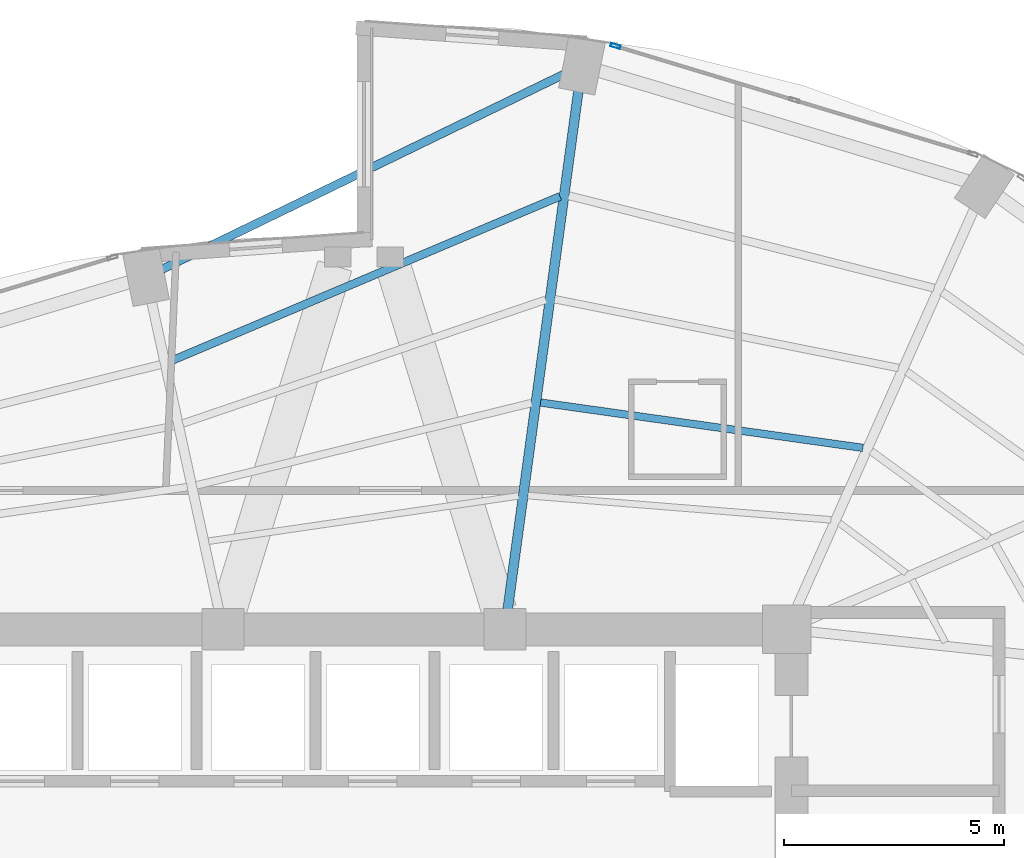
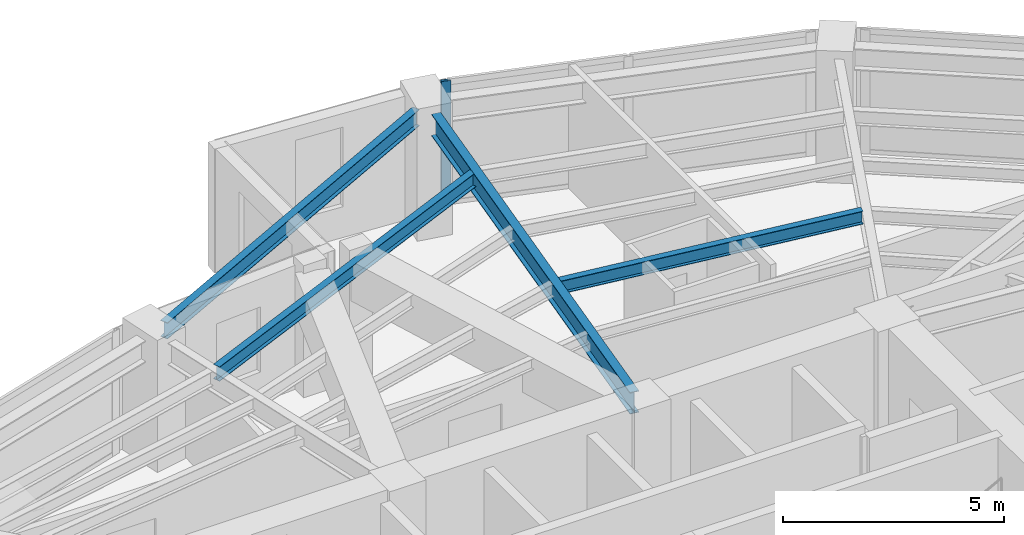
# One storey, part 16 of 24: 4 beams, 1 member, 1 element without a shape of its own.
"""IFC4 building model written with IfcOpenShell, lengths in metres."""

from ifc_helpers import new_model, si_unit, direction, frame, origin, origin_2d, place, context, subcontext, project, spatial, hollow_rectangle, i_section, extrude, material, layer, layer_set, material_profile, profile_set, type_object, element, aggregate, save


model = new_model("IFC4")

# Units and contexts
model_context = context("Model", 3, precision=1e-05, world=origin(), true_north=direction((0.0, 1.0)))
body_context = subcontext(model_context, "Body", "Model", "MODEL_VIEW")
ifc_project = project(units=[si_unit("LENGTHUNIT", "METRE"), si_unit("AREAUNIT", "SQUARE_METRE"), si_unit("VOLUMEUNIT", "CUBIC_METRE"), si_unit("PLANEANGLEUNIT", "RADIAN"), si_unit("MASSUNIT", "GRAM", prefix="KILO")], contexts=[model_context])

# Site, building, storey
site_placement = place(None, origin())
site = spatial("IfcSite", under=ifc_project, at=site_placement, CompositionType="ELEMENT")
building_placement = place(site_placement, origin())
building = spatial("IfcBuilding", under=site, at=building_placement, Name="Lazwardi Medical Tower", CompositionType="ELEMENT")
storey_placement = place(building_placement, frame((0.0, 0.0, 118.22412109375)))
storey = spatial("IfcBuildingStorey", under=building, at=storey_placement, Name="L30", CompositionType="ELEMENT", Elevation=118.22412109375)

# Beams
ifc_material_1 = material(Name="Steel S355", Category="steel")
ifc_material_profile_1 = material_profile(ifc_material_1, i_section(OverallWidth=0.219970703125, OverallDepth=0.60009765625, WebThickness=0.011962890625, FlangeThickness=0.01904296875, at=origin_2d()), Name="IPE 600")
ifc_profile_set_1 = profile_set([ifc_material_profile_1], Name="Steel S355")
beam_type_1 = type_object("IfcBeamType", Name="BM-RG-W1", PredefinedType="BEAM", material=ifc_profile_set_1)
beam_1_placement = place(storey_placement, frame((40.8671875, 47.82275390625, 3.1279296875), z_axis=(-0.135147148002, -0.990825538825, 0.0), x_axis=(0.990825538825, -0.135147148002, 0.0)))
element("IfcBeam", 1, at=beam_1_placement, inside=storey, type_object=beam_type_1, Name="Radial girder RG-02 R08 L30", PredefinedType="BEAM", context=body_context, shape_type="SweptSolid", body=[
    extrude(i_section(OverallWidth=0.219970703125, OverallDepth=0.60009765625, WebThickness=0.011962890625, FlangeThickness=0.01904296875, at=origin_2d()), origin(), (0.0, 0.0, 1.0), 11.875732421875),
])
ifc_material_profile_2 = material_profile(ifc_material_1, i_section(OverallWidth=0.179931640625, OverallDepth=0.39990234375, WebThickness=0.008544921875, FlangeThickness=0.013427734375, at=origin_2d()), Name="IPE 400")
ifc_profile_set_2 = profile_set([ifc_material_profile_2], Name="Steel S355")
beam_type_2 = type_object("IfcBeamType", Name="BM-SJ-01", PredefinedType="JOIST", material=ifc_profile_set_2)
beam_2_placement = place(storey_placement, frame((40.449462890625, 45.428466796875, 3.227783203125), z_axis=(-0.920947307957, -0.389687125739, 0.0), x_axis=(0.389687125739, -0.920947307957, 0.0)))
element("IfcBeam", 2, at=beam_2_placement, inside=storey, type_object=beam_type_2, Name="Secondary joist SJ-01 R1 B08 L30", PredefinedType="JOIST", context=body_context, shape_type="SweptSolid", body=[
    extrude(i_section(OverallWidth=0.179931640625, OverallDepth=0.39990234375, WebThickness=0.008544921875, FlangeThickness=0.013427734375, at=origin_2d()), origin(), (0.0, 0.0, 1.0), 9.63134765625),
])
ifc_material_profile_3 = material_profile(ifc_material_1, i_section(OverallWidth=0.169921875, OverallDepth=0.360107421875, WebThickness=0.008056640625, FlangeThickness=0.0126953125, at=origin_2d()), Name="IPE 360")
ifc_profile_set_3 = profile_set([ifc_material_profile_3], Name="Steel S355")
beam_type_3 = type_object("IfcBeamType", Name="BM-SJ-02", PredefinedType="JOIST", material=ifc_profile_set_3)
beam_3_placement = place(storey_placement, frame((47.32568359375, 39.718994140625, 3.247802734375), z_axis=(-0.990260920731, 0.139223952222, 0.0), x_axis=(-0.139223952222, -0.990260920731, 0.0)))
element("IfcBeam", 3, at=beam_3_placement, inside=storey, type_object=beam_type_3, Name="Secondary joist SJ-02 R3 B07 L30", PredefinedType="JOIST", context=body_context, shape_type="SweptSolid", body=[
    extrude(i_section(OverallWidth=0.169921875, OverallDepth=0.360107421875, WebThickness=0.008056640625, FlangeThickness=0.0126953125, at=origin_2d()), origin(), (0.0, 0.0, 1.0), 7.3896484375),
])
ifc_material_profile_4 = material_profile(ifc_material_1, i_section(OverallWidth=0.18994140625, OverallDepth=0.449951171875, WebThickness=0.009521484375, FlangeThickness=0.0146484375, at=origin_2d()), Name="IPE 450")
ifc_profile_set_4 = profile_set([ifc_material_profile_4], Name="Steel S355")
beam_type_4 = type_object("IfcBeamType", Name="BM-SP-01", PredefinedType="SPANDREL", material=ifc_profile_set_4)
beam_4_placement = place(storey_placement, frame((40.57666015625, 48.218505859375, 3.202880859375), z_axis=(-0.899653336227, -0.436604941125, 0.0), x_axis=(0.436604941125, -0.899653336227, 0.0)))
element("IfcBeam", 4, at=beam_4_placement, inside=storey, type_object=beam_type_4, Name="Spandrel beam SP-01 B08 L30", PredefinedType="SPANDREL", context=body_context, shape_type="SweptSolid", body=[
    extrude(i_section(OverallWidth=0.18994140625, OverallDepth=0.449951171875, WebThickness=0.009521484375, FlangeThickness=0.0146484375, at=origin_2d()), origin(), (0.0, 0.0, 1.0), 10.17431640625),
])

# Curtain wall, member
ifc_material_2 = material(Name="Anodised bronze aluminium and solar control glazing", Category="aluminium")
ifc_layer = layer(ifc_material_2, 0.195068359375)
ifc_layer_set = layer_set([ifc_layer], Name="Anodised bronze aluminium and solar control glazing")
curtain_wall_type = type_object("IfcCurtainWallType", Name="CW-SYS-03", PredefinedType="NOTDEFINED", material=ifc_layer_set)
curtain_wall_placement = place(storey_placement, origin())
curtain_wall = element("IfcCurtainWall", 5, at=curtain_wall_placement, inside=storey, type_object=curtain_wall_type, Name="L30 Unitised bronze curtain wall CW-03", PredefinedType="NOTDEFINED")
ifc_material_3 = material(Name="Anodised bronze aluminium", Category="aluminium")
ifc_material_profile_5 = material_profile(ifc_material_3, hollow_rectangle(XDim=0.074951171875, YDim=0.219970703125, WallThickness=0.00390625, at=origin_2d()), Name="ALU-MULLION 220x75x4")
ifc_profile_set_5 = profile_set([ifc_material_profile_5], Name="Anodised bronze aluminium")
member_type = type_object("IfcMemberType", Name="CW-MUL-01", PredefinedType="MULLION", material=ifc_profile_set_5)
member_placement = place(storey_placement, frame((41.710205078125, 48.840087890625, 0.0), z_axis=(0.0, 0.0, 1.0), x_axis=(-0.28937381157, -0.957216170558, 0.0)))
member = element("IfcMember", 6, at=member_placement, type_object=member_type, Name="CW-03 mullion 3", PredefinedType="MULLION", context=body_context, shape_type="SweptSolid", body=[
    extrude(hollow_rectangle(XDim=0.074951171875, YDim=0.219970703125, WallThickness=0.00390625, at=origin_2d()), origin(), (0.0, 0.0, 1.0), 3.427978515625),
])
aggregate(curtain_wall, [member])

save(model, "model.ifc")
